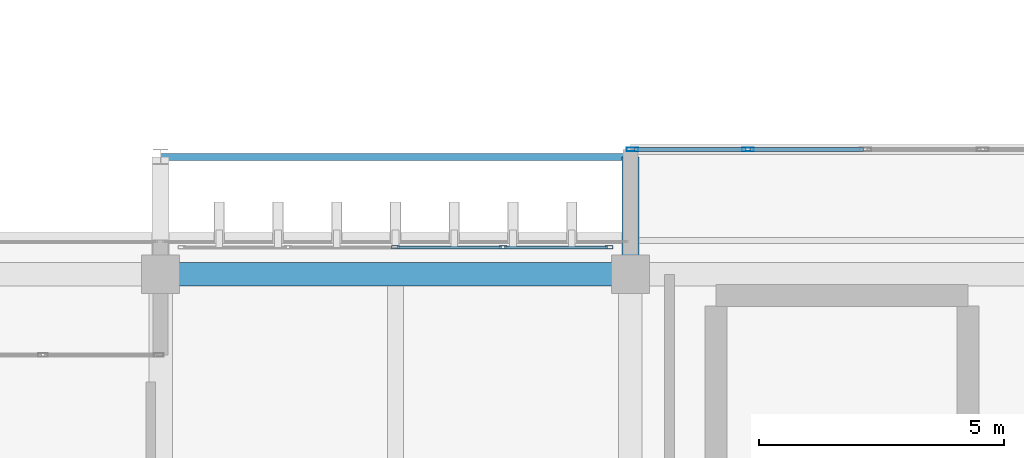
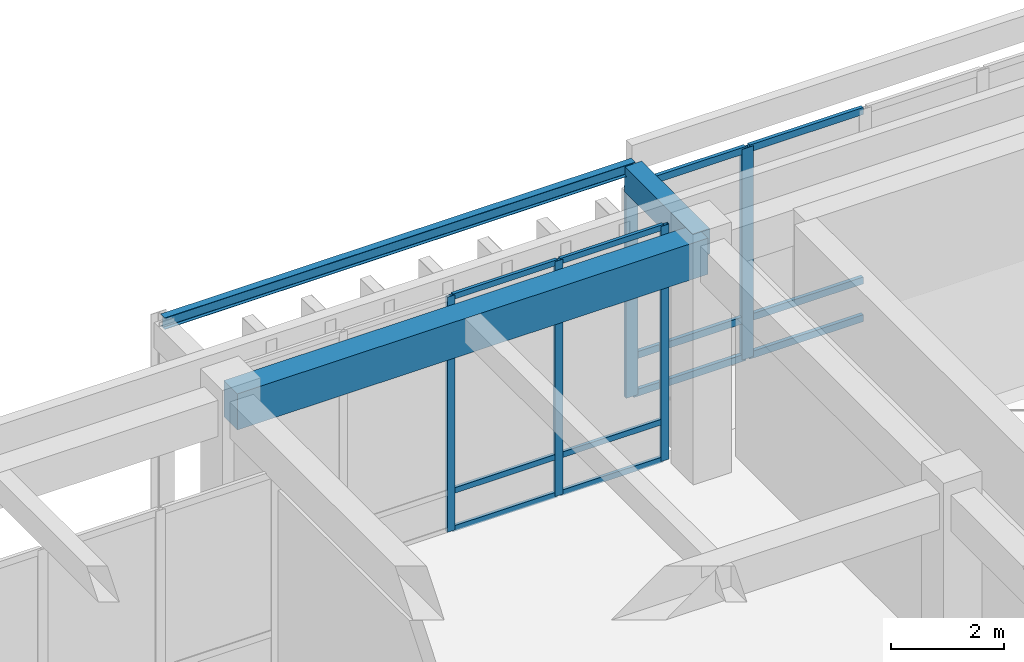
# One storey, part 53 of 134: 17 members, 3 beams, 2 elements without a shape of their own.
"""IFC4 building model written with IfcOpenShell, lengths in metres."""

from ifc_helpers import new_model, si_unit, direction, frame, origin, origin_2d, place, context, subcontext, project, spatial, rectangle, hollow_rectangle, i_section, extrude, material, layer, layer_set, material_profile, profile_set, type_object, element, aggregate, save


model = new_model("IFC4")

# Units and contexts
model_context = context("Model", 3, precision=1e-05, world=origin(), true_north=direction((0.0, 1.0)))
body_context = subcontext(model_context, "Body", "Model", "MODEL_VIEW")
ifc_project = project(units=[si_unit("LENGTHUNIT", "METRE"), si_unit("AREAUNIT", "SQUARE_METRE"), si_unit("VOLUMEUNIT", "CUBIC_METRE"), si_unit("PLANEANGLEUNIT", "RADIAN"), si_unit("MASSUNIT", "GRAM", prefix="KILO")], contexts=[model_context])

# Site, building, storey
site_placement = place(None, origin())
site = spatial("IfcSite", under=ifc_project, at=site_placement, CompositionType="ELEMENT")
building_placement = place(site_placement, origin())
building = spatial("IfcBuilding", under=site, at=building_placement, Name="Nakhvara Creek Congress Hotel", CompositionType="ELEMENT")
storey_placement = place(building_placement, frame((0.0, 0.0, 6.0)))
storey = spatial("IfcBuildingStorey", under=building, at=storey_placement, Name="L01", CompositionType="ELEMENT", Elevation=6.0)

# Beams
ifc_material_1 = material(Name="Concrete C40/50", Category="concrete")
ifc_material_profile_1 = material_profile(ifc_material_1, rectangle(XDim=0.35009765625, YDim=0.550048828125, at=origin_2d()), Name="RC-BM 350x550", Category="LoadBearing")
ifc_profile_set_1 = profile_set([ifc_material_profile_1], Name="Concrete C40/50")
beam_type_1 = type_object("IfcBeamType", Name="BM-CANT-BOX", PredefinedType="BEAM", material=ifc_profile_set_1)
beam_1_placement = place(storey_placement, frame((115.199951171875, 95.25, 4.824951171875), z_axis=(0.0, 1.0, 0.0), x_axis=(-1.0, 0.0, 0.0)))
element("IfcBeam", 1, at=beam_1_placement, inside=storey, type_object=beam_type_1, Name="Foyer Box Outrigger Beam PBOX-L02-N2-115", PredefinedType="BEAM", context=body_context, shape_type="SweptSolid", body=[
    extrude(rectangle(XDim=0.35009765625, YDim=0.550048828125, at=origin_2d()), origin(), (0.0, 0.0, 1.0), 2.39990234375),
])
ifc_material_profile_2 = material_profile(ifc_material_1, rectangle(XDim=0.47998046875, YDim=0.780029296875, at=origin_2d()), Name="RC-BM 480x780", Category="LoadBearing")
ifc_profile_set_2 = profile_set([ifc_material_profile_2], Name="Concrete C40/50")
beam_type_2 = type_object("IfcBeamType", Name="BM-RC-480X780", PredefinedType="BEAM", material=ifc_profile_set_2)
beam_2_placement = place(storey_placement, frame((105.60009765625, 95.25, 4.7099609375), z_axis=(1.0, 0.0, 0.0), x_axis=(0.0, 1.0, 0.0)))
element("IfcBeam", 2, at=beam_2_placement, inside=storey, type_object=beam_type_2, Name="Beam B13-L01-1202", PredefinedType="BEAM", context=body_context, shape_type="SweptSolid", body=[
    extrude(rectangle(XDim=0.47998046875, YDim=0.780029296875, at=origin_2d()), origin(), (0.0, 0.0, 1.0), 9.599853515625),
])
ifc_material_2 = material(Name="Steel S355J2", Category="steel")
ifc_material_profile_3 = material_profile(ifc_material_2, i_section(OverallWidth=0.14599609375, OverallDepth=0.25146484375, WebThickness=0.006103515625, FlangeThickness=0.008544921875, FilletRadius=0.007568359375, at=origin_2d()), Name="UB 254x146x31", Category="LoadBearing")
ifc_profile_set_3 = profile_set([ifc_material_profile_3], Name="Steel S355J2")
beam_type_3 = type_object("IfcBeamType", Name="BM-ST-UB254", PredefinedType="SPANDREL", material=ifc_profile_set_3)
beam_3_placement = place(storey_placement, frame((105.60009765625, 97.64990234375, 5.05419921875), z_axis=(1.0, 0.0, 0.0), x_axis=(0.0, 1.0, 0.0)))
element("IfcBeam", 3, at=beam_3_placement, inside=storey, type_object=beam_type_3, Name="Foyer Box Edge Spandrel PBOX-L02-N2", PredefinedType="SPANDREL", context=body_context, shape_type="SweptSolid", body=[
    extrude(i_section(OverallWidth=0.14599609375, OverallDepth=0.25146484375, WebThickness=0.006103515625, FlangeThickness=0.008544921875, FilletRadius=0.007568359375, at=origin_2d()), origin(), (0.0, 0.0, 1.0), 9.599853515625),
])

# Curtain wall, members
ifc_material_3 = material(Name="Bronze-anodised aluminium AW-6063-T6 and double-silver low-E glass", Category="aluminium")
ifc_layer_1 = layer(ifc_material_3, 0.199951171875)
ifc_layer_set_1 = layer_set([ifc_layer_1], Name="Bronze-anodised aluminium AW-6063-T6 and double-silver low-E glass")
curtain_wall_type_1 = type_object("IfcCurtainWallType", Name="CW-POD-STICK", PredefinedType="NOTDEFINED", material=ifc_layer_set_1)
curtain_wall_1_placement = place(storey_placement, origin())
curtain_wall_1 = element("IfcCurtainWall", 4, at=curtain_wall_1_placement, inside=storey, type_object=curtain_wall_type_1, Name="Curtain Wall CW071", PredefinedType="NOTDEFINED")
ifc_material_4 = material(Name="Bronze-anodised aluminium AW-6063-T6", Category="aluminium")
ifc_material_profile_4 = material_profile(ifc_material_4, hollow_rectangle(XDim=0.06494140625, YDim=0.159912109375, WallThickness=0.00390625, at=origin_2d()), Name="ALU-MULL 65x160x4", Category="LoadBearing")
ifc_profile_set_4 = profile_set([ifc_material_profile_4], Name="Bronze-anodised aluminium AW-6063-T6")
member_type_1 = type_object("IfcMemberType", Name="CW-MULL-160", PredefinedType="MULLION", material=ifc_profile_set_4)
member_1_placement = place(storey_placement, frame((110.39990234375, 95.800048828125, 0.0), z_axis=(0.0, 0.0, 1.0), x_axis=(0.0, 1.0, 0.0)))
member_1 = element("IfcMember", 5, at=member_1_placement, type_object=member_type_1, Name="CW071 mullion 3", PredefinedType="MULLION", context=body_context, shape_type="SweptSolid", body=[
    extrude(hollow_rectangle(XDim=0.06494140625, YDim=0.159912109375, WallThickness=0.00390625, at=origin_2d()), origin(), (0.0, 0.0, 1.0), 5.070068359375),
])
member_2_placement = place(storey_placement, frame((112.597412109375, 95.800048828125, 0.0), z_axis=(0.0, 0.0, 1.0), x_axis=(0.0, 1.0, 0.0)))
member_2 = element("IfcMember", 6, at=member_2_placement, type_object=member_type_1, Name="CW071 mullion 4", PredefinedType="MULLION", context=body_context, shape_type="SweptSolid", body=[
    extrude(hollow_rectangle(XDim=0.06494140625, YDim=0.159912109375, WallThickness=0.00390625, at=origin_2d()), origin(), (0.0, 0.0, 1.0), 5.070068359375),
])
member_3_placement = place(storey_placement, frame((114.762451171875, 95.800048828125, 0.0), z_axis=(0.0, 0.0, 1.0), x_axis=(0.0, 1.0, 0.0)))
member_3 = element("IfcMember", 7, at=member_3_placement, type_object=member_type_1, Name="CW071 mullion 5", PredefinedType="MULLION", context=body_context, shape_type="SweptSolid", body=[
    extrude(hollow_rectangle(XDim=0.06494140625, YDim=0.159912109375, WallThickness=0.00390625, at=origin_2d()), origin(), (0.0, 0.0, 1.0), 5.070068359375),
])

ifc_layer_2 = layer(ifc_material_3, 0.219970703125)
ifc_layer_set_2 = layer_set([ifc_layer_2], Name="Bronze-anodised aluminium AW-6063-T6 and double-silver low-E glass")
curtain_wall_type_2 = type_object("IfcCurtainWallType", Name="CW-BOX-PROJ", PredefinedType="USERDEFINED", material=ifc_layer_set_2)
curtain_wall_2_placement = place(storey_placement, origin())
curtain_wall_2 = element("IfcCurtainWall", 8, at=curtain_wall_2_placement, inside=storey, type_object=curtain_wall_type_2, Name="Curtain Wall CW066", ObjectType="UNITISED", PredefinedType="USERDEFINED")
ifc_material_profile_5 = material_profile(ifc_material_4, hollow_rectangle(XDim=0.080078125, YDim=0.239990234375, WallThickness=0.0048828125, at=origin_2d()), Name="ALU-MULL 80x240x5", Category="LoadBearing")
ifc_profile_set_5 = profile_set([ifc_material_profile_5], Name="Bronze-anodised aluminium AW-6063-T6")
member_type_2 = type_object("IfcMemberType", Name="CW-MULL-240", PredefinedType="MULLION", material=ifc_profile_set_5)
member_4_placement = place(storey_placement, frame((115.239990234375, 97.800048828125, 0.0), z_axis=(0.0, 0.0, 1.0), x_axis=(0.0, 1.0, 0.0)))
member_4 = element("IfcMember", 9, at=member_4_placement, type_object=member_type_2, Name="CW066 mullion 1", PredefinedType="MULLION", context=body_context, shape_type="SweptSolid", body=[
    extrude(hollow_rectangle(XDim=0.080078125, YDim=0.239990234375, WallThickness=0.0048828125, at=origin_2d()), origin(), (0.0, 0.0, 1.0), 4.5419921875),
])
member_5_placement = place(storey_placement, frame((117.60009765625, 97.800048828125, 0.0), z_axis=(0.0, 0.0, 1.0), x_axis=(0.0, 1.0, 0.0)))
member_5 = element("IfcMember", 10, at=member_5_placement, type_object=member_type_2, Name="CW066 mullion 2", PredefinedType="MULLION", context=body_context, shape_type="SweptSolid", body=[
    extrude(hollow_rectangle(XDim=0.080078125, YDim=0.239990234375, WallThickness=0.0048828125, at=origin_2d()), origin(), (0.0, 0.0, 1.0), 4.5419921875),
])

# Member
ifc_material_profile_6 = material_profile(ifc_material_4, hollow_rectangle(XDim=0.06494140625, YDim=0.1201171875, WallThickness=0.00390625, at=origin_2d()), Name="ALU-TRAN 65x120x4", Category="LoadBearing")
ifc_profile_set_6 = profile_set([ifc_material_profile_6], Name="Bronze-anodised aluminium AW-6063-T6")
member_type_3 = type_object("IfcMemberType", Name="CW-TRAN-120", PredefinedType="USERDEFINED", material=ifc_profile_set_6)
member_6_placement = place(storey_placement, frame((110.4326171875, 95.800048828125, 0.032470703125), z_axis=(1.0, 0.0, 0.0), x_axis=(0.0, 1.0, 0.0)))
member_6 = element("IfcMember", 11, at=member_6_placement, type_object=member_type_3, Name="CW071 transom 3.1", ObjectType="TRANSOM", PredefinedType="USERDEFINED", context=body_context, shape_type="SweptSolid", body=[
    extrude(hollow_rectangle(XDim=0.06494140625, YDim=0.1201171875, WallThickness=0.00390625, at=origin_2d()), origin(), (0.0, 0.0, 1.0), 2.13232421875),
])

member_7_placement = place(storey_placement, frame((110.4326171875, 95.800048828125, 0.85009765625), z_axis=(1.0, 0.0, 0.0), x_axis=(0.0, 1.0, 0.0)))
member_7 = element("IfcMember", 12, at=member_7_placement, type_object=member_type_3, Name="CW071 transom 3.2", ObjectType="TRANSOM", PredefinedType="USERDEFINED", context=body_context, shape_type="SweptSolid", body=[
    extrude(hollow_rectangle(XDim=0.06494140625, YDim=0.1201171875, WallThickness=0.00390625, at=origin_2d()), origin(), (0.0, 0.0, 1.0), 2.13232421875),
])

member_8_placement = place(storey_placement, frame((110.4326171875, 95.800048828125, 5.03759765625), z_axis=(1.0, 0.0, 0.0), x_axis=(0.0, 1.0, 0.0)))
member_8 = element("IfcMember", 13, at=member_8_placement, type_object=member_type_3, Name="CW071 transom 3.3", ObjectType="TRANSOM", PredefinedType="USERDEFINED", context=body_context, shape_type="SweptSolid", body=[
    extrude(hollow_rectangle(XDim=0.06494140625, YDim=0.1201171875, WallThickness=0.00390625, at=origin_2d()), origin(), (0.0, 0.0, 1.0), 2.13232421875),
])

member_9_placement = place(storey_placement, frame((112.6298828125, 95.800048828125, 0.032470703125), z_axis=(1.0, 0.0, 0.0), x_axis=(0.0, 1.0, 0.0)))
member_9 = element("IfcMember", 14, at=member_9_placement, type_object=member_type_3, Name="CW071 transom 4.1", ObjectType="TRANSOM", PredefinedType="USERDEFINED", context=body_context, shape_type="SweptSolid", body=[
    extrude(hollow_rectangle(XDim=0.06494140625, YDim=0.1201171875, WallThickness=0.00390625, at=origin_2d()), origin(), (0.0, 0.0, 1.0), 2.10009765625),
])

member_10_placement = place(storey_placement, frame((112.6298828125, 95.800048828125, 0.85009765625), z_axis=(1.0, 0.0, 0.0), x_axis=(0.0, 1.0, 0.0)))
member_10 = element("IfcMember", 15, at=member_10_placement, type_object=member_type_3, Name="CW071 transom 4.2", ObjectType="TRANSOM", PredefinedType="USERDEFINED", context=body_context, shape_type="SweptSolid", body=[
    extrude(hollow_rectangle(XDim=0.06494140625, YDim=0.1201171875, WallThickness=0.00390625, at=origin_2d()), origin(), (0.0, 0.0, 1.0), 2.10009765625),
])

member_11_placement = place(storey_placement, frame((112.6298828125, 95.800048828125, 5.03759765625), z_axis=(1.0, 0.0, 0.0), x_axis=(0.0, 1.0, 0.0)))
member_11 = element("IfcMember", 16, at=member_11_placement, type_object=member_type_3, Name="CW071 transom 4.3", ObjectType="TRANSOM", PredefinedType="USERDEFINED", context=body_context, shape_type="SweptSolid", body=[
    extrude(hollow_rectangle(XDim=0.06494140625, YDim=0.1201171875, WallThickness=0.00390625, at=origin_2d()), origin(), (0.0, 0.0, 1.0), 2.10009765625),
])

aggregate(curtain_wall_1, [member_1, member_2, member_3, member_6, member_7, member_8, member_9, member_10, member_11])

ifc_material_profile_7 = material_profile(ifc_material_4, hollow_rectangle(XDim=0.074951171875, YDim=0.14990234375, WallThickness=0.00390625, at=origin_2d()), Name="ALU-TRAN 75x150x4", Category="LoadBearing")
ifc_profile_set_7 = profile_set([ifc_material_profile_7], Name="Bronze-anodised aluminium AW-6063-T6")
member_type_4 = type_object("IfcMemberType", Name="CW-TRAN-150", PredefinedType="USERDEFINED", material=ifc_profile_set_7)
member_12_placement = place(storey_placement, frame((115.280029296875, 97.800048828125, 0.03759765625), z_axis=(1.0, 0.0, 0.0), x_axis=(0.0, 1.0, 0.0)))
member_12 = element("IfcMember", 17, at=member_12_placement, type_object=member_type_4, Name="CW066 transom 1.1", ObjectType="TRANSOM", PredefinedType="USERDEFINED", context=body_context, shape_type="SweptSolid", body=[
    extrude(hollow_rectangle(XDim=0.074951171875, YDim=0.14990234375, WallThickness=0.00390625, at=origin_2d()), origin(), (0.0, 0.0, 1.0), 2.280029296875),
])

member_13_placement = place(storey_placement, frame((115.280029296875, 97.800048828125, 0.85009765625), z_axis=(1.0, 0.0, 0.0), x_axis=(0.0, 1.0, 0.0)))
member_13 = element("IfcMember", 18, at=member_13_placement, type_object=member_type_4, Name="CW066 transom 1.2", ObjectType="TRANSOM", PredefinedType="USERDEFINED", context=body_context, shape_type="SweptSolid", body=[
    extrude(hollow_rectangle(XDim=0.074951171875, YDim=0.14990234375, WallThickness=0.00390625, at=origin_2d()), origin(), (0.0, 0.0, 1.0), 2.280029296875),
])

member_14_placement = place(storey_placement, frame((115.280029296875, 97.800048828125, 4.50439453125), z_axis=(1.0, 0.0, 0.0), x_axis=(0.0, 1.0, 0.0)))
member_14 = element("IfcMember", 19, at=member_14_placement, type_object=member_type_4, Name="CW066 transom 1.3", ObjectType="TRANSOM", PredefinedType="USERDEFINED", context=body_context, shape_type="SweptSolid", body=[
    extrude(hollow_rectangle(XDim=0.074951171875, YDim=0.14990234375, WallThickness=0.00390625, at=origin_2d()), origin(), (0.0, 0.0, 1.0), 2.280029296875),
])

member_15_placement = place(storey_placement, frame((117.639892578125, 97.800048828125, 0.03759765625), z_axis=(1.0, 0.0, 0.0), x_axis=(0.0, 1.0, 0.0)))
member_15 = element("IfcMember", 20, at=member_15_placement, type_object=member_type_4, Name="CW066 transom 2.1", ObjectType="TRANSOM", PredefinedType="USERDEFINED", context=body_context, shape_type="SweptSolid", body=[
    extrude(hollow_rectangle(XDim=0.074951171875, YDim=0.14990234375, WallThickness=0.00390625, at=origin_2d()), origin(), (0.0, 0.0, 1.0), 2.320068359375),
])

member_16_placement = place(storey_placement, frame((117.639892578125, 97.800048828125, 0.85009765625), z_axis=(1.0, 0.0, 0.0), x_axis=(0.0, 1.0, 0.0)))
member_16 = element("IfcMember", 21, at=member_16_placement, type_object=member_type_4, Name="CW066 transom 2.2", ObjectType="TRANSOM", PredefinedType="USERDEFINED", context=body_context, shape_type="SweptSolid", body=[
    extrude(hollow_rectangle(XDim=0.074951171875, YDim=0.14990234375, WallThickness=0.00390625, at=origin_2d()), origin(), (0.0, 0.0, 1.0), 2.320068359375),
])

member_17_placement = place(storey_placement, frame((117.639892578125, 97.800048828125, 4.50439453125), z_axis=(1.0, 0.0, 0.0), x_axis=(0.0, 1.0, 0.0)))
member_17 = element("IfcMember", 22, at=member_17_placement, type_object=member_type_4, Name="CW066 transom 2.3", ObjectType="TRANSOM", PredefinedType="USERDEFINED", context=body_context, shape_type="SweptSolid", body=[
    extrude(hollow_rectangle(XDim=0.074951171875, YDim=0.14990234375, WallThickness=0.00390625, at=origin_2d()), origin(), (0.0, 0.0, 1.0), 2.320068359375),
])

aggregate(curtain_wall_2, [member_4, member_5, member_12, member_13, member_14, member_15, member_16, member_17])

save(model, "model.ifc")
